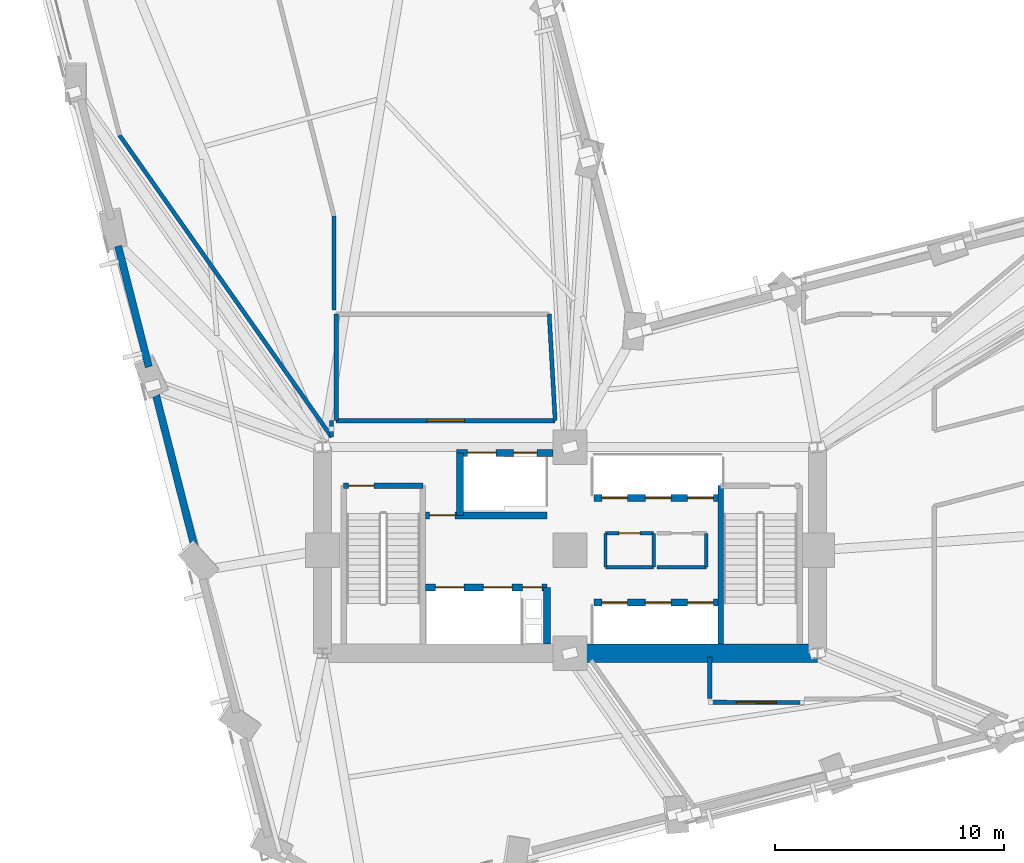
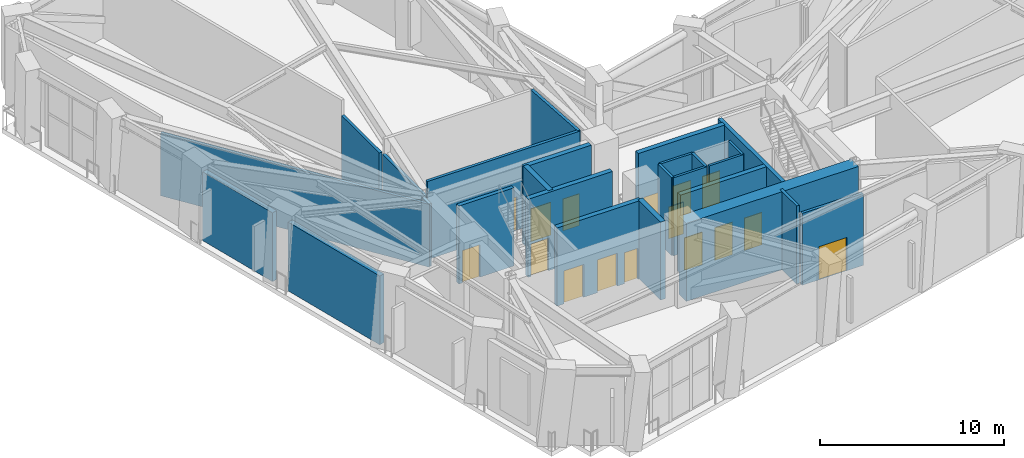
# One storey, part 10 of 17: 26 walls, 16 doors, 16 openings.
"""IFC4 building model written with IfcOpenShell, lengths in metres."""

from ifc_helpers import new_model, si_unit, direction, frame, frame_2d, origin, place, context, subcontext, project, spatial, rectangle, extrude, material, layer, layer_set, type_object, element, fill, save


model = new_model("IFC4")

# Units and contexts
model_context = context("Model", 3, precision=1e-05, world=origin(), true_north=direction((0.0, 1.0)))
body_context = subcontext(model_context, "Body", "Model", "MODEL_VIEW")
ifc_project = project(units=[si_unit("LENGTHUNIT", "METRE"), si_unit("AREAUNIT", "SQUARE_METRE"), si_unit("VOLUMEUNIT", "CUBIC_METRE"), si_unit("PLANEANGLEUNIT", "RADIAN"), si_unit("MASSUNIT", "GRAM", prefix="KILO")], contexts=[model_context])

# Site, building, storey
site_placement = place(None, origin())
site = spatial("IfcSite", under=ifc_project, at=site_placement, CompositionType="ELEMENT")
building_placement = place(site_placement, origin())
building = spatial("IfcBuilding", under=site, at=building_placement, Name="Gaonmaruhae Medical Tower", CompositionType="ELEMENT")
storey_placement = place(building_placement, frame((0.0, 0.0, 83.0)))
storey = spatial("IfcBuildingStorey", under=building, at=storey_placement, Name="L19", CompositionType="ELEMENT", Elevation=83.0)

# Walls
ifc_material_1 = material(Name="Concrete C60/75", Category="concrete")
ifc_layer_1 = layer(ifc_material_1, 0.800048828125)
ifc_layer_set_1 = layer_set([ifc_layer_1], Name="Concrete C60/75")
wall_type_1 = type_object("IfcWallType", Name="CW-800 Lower Core Shear Wall", PredefinedType="SHEAR", material=ifc_layer_set_1)
wall_1_placement = place(storey_placement, frame((24.800048828125, 7.800048828125, 0.0), z_axis=(0.0, 0.0, 1.0), x_axis=(1.0, 0.0, 0.0)))
element("IfcWall", 1, at=wall_1_placement, inside=storey, type_object=wall_type_1, Name="L19 Core Shear Wall CSW-S2", PredefinedType="SHEAR", context=body_context, shape_type="SweptSolid", body=[
    extrude(rectangle(XDim=10.800048828125, YDim=0.800048828125, at=frame_2d((5.39990234375, 0.0))), origin(), (0.0, 0.0, 1.0), 5.179931640625),
])
ifc_material_2 = material(Name="Precast concrete C45/55", Category="concrete")
ifc_layer_2 = layer(ifc_material_2, 0.320068359375)
ifc_layer_set_2 = layer_set([ifc_layer_2], Name="Precast concrete C45/55")
wall_type_2 = type_object("IfcWallType", Name="EW-320 Lower Precast Masonry-Frame Facade Wall", PredefinedType="SOLIDWALL", material=ifc_layer_set_2)
wall_2_placement = place(storey_placement, frame((6.421142578125, 20.301513671875, 0.0), z_axis=(0.0, 0.0, 1.0), x_axis=(-0.246167904865, 0.969227198656, 0.0)))
element("IfcWall", 2, at=wall_2_placement, inside=storey, type_object=wall_type_2, Name="L19 Precast Masonry-Frame Wall W03-W04", PredefinedType="SOLIDWALL", context=body_context, shape_type="SweptSolid", body=[
    extrude(rectangle(XDim=5.437744140625, YDim=0.320068359375, at=frame_2d((2.71875, 0.0))), origin(), (0.0, 0.0, 1.0), 4.56494140625),
])
wall_3_placement = place(storey_placement, frame((8.476806640625, 12.20654296875, 0.0), z_axis=(0.0, 0.0, 1.0), x_axis=(-0.246148234734, 0.969232194336, 0.0)))
element("IfcWall", 3, at=wall_3_placement, inside=storey, type_object=wall_type_2, Name="L19 Precast Masonry-Frame Wall W04-W05", PredefinedType="SOLIDWALL", context=body_context, shape_type="SweptSolid", body=[
    extrude(rectangle(XDim=7.13623046875, YDim=0.320068359375, at=frame_2d((3.568115234375, 0.0))), origin(), (0.0, 0.0, 1.0), 4.56494140625),
])
ifc_material_3 = material(Name="Gypsum board partition", Category="gypsum")
ifc_layer_3 = layer(ifc_material_3, 0.14990234375)
ifc_layer_set_3 = layer_set([ifc_layer_3], Name="Gypsum board partition")
wall_type_3 = type_object("IfcWallType", Name="PW-150 Rated Clinical Corridor Partition", PredefinedType="PARTITIONING", material=ifc_layer_set_3)
wall_4_placement = place(storey_placement, frame((26.35009765625, 11.56005859375, 0.0), z_axis=(0.0, 0.0, 1.0), x_axis=(0.0, 1.0, 0.0)))
element("IfcWall", 4, at=wall_4_placement, inside=storey, type_object=wall_type_3, Name="L19 Interior Partition L19-CS1-1", PredefinedType="PARTITIONING", context=body_context, shape_type="SweptSolid", body=[
    extrude(rectangle(XDim=1.47998046875, YDim=0.14990234375, at=frame_2d((0.739990234375, 0.0))), origin(), (0.0, 0.0, 1.0), 5.179931640625),
])

# Wall, opening, door
wall_5_placement = place(storey_placement, frame((26.35009765625, 13.0400390625, 0.0), z_axis=(0.0, 0.0, 1.0), x_axis=(1.0, 0.0, 0.0)))
wall_5 = element("IfcWall", 5, at=wall_5_placement, inside=storey, type_object=wall_type_3, Name="L19 Interior Partition L19-CS1-2", PredefinedType="PARTITIONING", context=body_context, shape_type="SweptSolid", body=[
    extrude(rectangle(XDim=2.099853515625, YDim=0.14990234375, at=frame_2d((1.0498046875, 0.0))), origin(), (0.0, 0.0, 1.0), 5.179931640625),
])
opening_1_placement = place(wall_5_placement, frame((0.590087890625, 0.0, 0.0)))
opening_1 = element("IfcOpeningElement", 6, at=opening_1_placement, cuts=wall_5, Name="Opening UD-01", PredefinedType="OPENING", context=body_context, shape_type="SweptSolid", body=[
    extrude(rectangle(XDim=0.919921875, YDim=2.10009765625, at=frame_2d((0.4599609375, 1.050048828125))), frame((0.0, 0.0849609375, 0.0), z_axis=(0.0, -1.0, 0.0), x_axis=(1.0, 0.0, 0.0)), (0.0, 0.0, 1.0), 0.169921875),
])
ifc_material_4 = material(Name="Powder-coated steel utility door", Category="steel")
door_type_1 = type_object("IfcDoorType", Name="UD-01 Toilet, Utility & Housekeeping Door 920x2100", OperationType="NOTDEFINED", PredefinedType="DOOR", material=ifc_material_4)
door_1_placement = place(opening_1_placement, origin())
door_1 = element("IfcDoor", 7, at=door_1_placement, inside=storey, type_object=door_type_1, Name="L19 Accessible Staff Toilet Door", OperationType="SINGLE_SWING_LEFT", OverallHeight=2.10009765625, OverallWidth=0.919921875, PredefinedType="DOOR", context=body_context, shape_type="SweptSolid", body=[
    extrude(rectangle(XDim=0.919921875, YDim=2.10009765625, at=frame_2d((0.4599609375, 1.050048828125))), frame((0.0, 0.02490234375, 0.0), z_axis=(0.0, -1.0, 0.0), x_axis=(1.0, 0.0, 0.0)), (0.0, 0.0, 1.0), 0.050048828125),
])
fill(opening_1, door_1)

# Walls
wall_6_placement = place(storey_placement, frame((28.449951171875, 13.0400390625, 0.0), z_axis=(0.0, 0.0, 1.0), x_axis=(0.0, -1.0, 0.0)))
element("IfcWall", 8, at=wall_6_placement, inside=storey, type_object=wall_type_3, Name="L19 Interior Partition L19-CS1-3", PredefinedType="PARTITIONING", context=body_context, shape_type="SweptSolid", body=[
    extrude(rectangle(XDim=1.47998046875, YDim=0.14990234375, at=frame_2d((0.739990234375, 0.0))), origin(), (0.0, 0.0, 1.0), 5.179931640625),
])
wall_7_placement = place(storey_placement, frame((28.449951171875, 11.56005859375, 0.0), z_axis=(0.0, 0.0, 1.0), x_axis=(-1.0, 0.0, 0.0)))
element("IfcWall", 9, at=wall_7_placement, inside=storey, type_object=wall_type_3, Name="L19 Interior Partition L19-CS1-4", PredefinedType="PARTITIONING", context=body_context, shape_type="SweptSolid", body=[
    extrude(rectangle(XDim=2.099853515625, YDim=0.14990234375, at=frame_2d((1.0498046875, 0.0))), origin(), (0.0, 0.0, 1.0), 5.179931640625),
])
wall_8_placement = place(storey_placement, frame((30.75, 13.0400390625, 0.0), z_axis=(0.0, 0.0, 1.0), x_axis=(0.0, -1.0, 0.0)))
element("IfcWall", 10, at=wall_8_placement, inside=storey, type_object=wall_type_3, Name="L19 Interior Partition L19-CS2-6", PredefinedType="PARTITIONING", context=body_context, shape_type="SweptSolid", body=[
    extrude(rectangle(XDim=1.47998046875, YDim=0.14990234375, at=frame_2d((0.739990234375, 0.0))), origin(), (0.0, 0.0, 1.0), 5.179931640625),
])
wall_9_placement = place(storey_placement, frame((30.75, 11.56005859375, 0.0), z_axis=(0.0, 0.0, 1.0), x_axis=(-1.0, 0.0, 0.0)))
element("IfcWall", 11, at=wall_9_placement, inside=storey, type_object=wall_type_3, Name="L19 Interior Partition L19-CS2-7", PredefinedType="PARTITIONING", context=body_context, shape_type="SweptSolid", body=[
    extrude(rectangle(XDim=2.14990234375, YDim=0.14990234375, at=frame_2d((1.074951171875, 0.0))), origin(), (0.0, 0.0, 1.0), 5.179931640625),
])
ifc_layer_4 = layer(ifc_material_3, 0.179931640625)
ifc_layer_set_4 = layer_set([ifc_layer_4], Name="Gypsum board partition")
wall_type_4 = type_object("IfcWallType", Name="PW-180 Refuge & Plant Acoustic Fire Partition", PredefinedType="PARTITIONING", material=ifc_layer_set_4)
wall_10_placement = place(storey_placement, frame((14.60009765625, 17.949951171875, 0.0), z_axis=(0.0, 0.0, 1.0), x_axis=(0.0, 1.0, 0.0)))
element("IfcWall", 12, at=wall_10_placement, inside=storey, type_object=wall_type_4, Name="L19 Interior Partition L19-REF1-8", PredefinedType="PARTITIONING", context=body_context, shape_type="SweptSolid", body=[
    extrude(rectangle(XDim=4.650146484375, YDim=0.179931640625, at=frame_2d((2.3251953125, 0.0))), origin(), (0.0, 0.0, 1.0), 4.1650390625),
])
wall_11_placement = place(storey_placement, frame((23.89404296875, 22.60009765625, 0.0), z_axis=(0.0, 0.0, 1.0), x_axis=(0.056036138201, -0.998428741181, 0.0)))
element("IfcWall", 13, at=wall_11_placement, inside=storey, type_object=wall_type_4, Name="L19 Interior Partition L19-REF1-10", PredefinedType="PARTITIONING", context=body_context, shape_type="SweptSolid", body=[
    extrude(rectangle(XDim=4.657470703125, YDim=0.179931640625, at=frame_2d((2.32861328125, 0.0))), origin(), (0.0, 0.0, 1.0), 5.179931640625),
])

# Wall, opening, door
wall_12_placement = place(storey_placement, frame((24.155029296875, 17.949951171875, 0.0), z_axis=(0.0, 0.0, 1.0), x_axis=(-1.0, 0.0, 0.0)))
wall_12 = element("IfcWall", 14, at=wall_12_placement, inside=storey, type_object=wall_type_4, Name="L19 Interior Partition L19-REF1-11", PredefinedType="PARTITIONING", context=body_context, shape_type="SweptSolid", body=[
    extrude(rectangle(XDim=9.554931640625, YDim=0.179931640625, at=frame_2d((4.77734375, 0.0))), origin(), (0.0, 0.0, 1.0), 5.179931640625),
])
opening_2_placement = place(wall_12_placement, frame((3.952392578125, 0.0, 0.0)))
opening_2 = element("IfcOpeningElement", 15, at=opening_2_placement, cuts=wall_12, Name="Opening FD-04", PredefinedType="OPENING", context=body_context, shape_type="SweptSolid", body=[
    extrude(rectangle(XDim=1.64990234375, YDim=2.199951171875, at=frame_2d((0.824951171875, 1.10009765625))), frame((0.0, 0.10009765625, 0.0), z_axis=(0.0, -1.0, 0.0), x_axis=(1.0, 0.0, 0.0)), (0.0, 0.0, 1.0), 0.199951171875),
])
ifc_material_5 = material(Name="Powder-coated steel fire door", Category="steel")
door_type_2 = type_object("IfcDoorType", Name="FD-04 Refuge & Trauma Double Fire Door 1650x2200", OperationType="NOTDEFINED", PredefinedType="DOOR", material=ifc_material_5)
door_2_placement = place(opening_2_placement, origin())
door_2 = element("IfcDoor", 16, at=door_2_placement, inside=storey, type_object=door_type_2, Name="L19 Designated Fire Refuge Safety Area Door", OperationType="DOUBLE_DOOR_SINGLE_SWING", OverallHeight=2.199951171875, OverallWidth=1.64990234375, PredefinedType="DOOR", context=body_context, shape_type="SweptSolid", body=[
    extrude(rectangle(XDim=1.64990234375, YDim=2.199951171875, at=frame_2d((0.824951171875, 1.10009765625))), frame((0.0, 0.02490234375, 0.0), z_axis=(0.0, -1.0, 0.0), x_axis=(1.0, 0.0, 0.0)), (0.0, 0.0, 1.0), 0.050048828125),
])
fill(opening_2, door_2)

# Wall
wall_13_placement = place(storey_placement, frame((30.90087890625, 7.639892578125, 0.0), z_axis=(0.0, 0.0, 1.0), x_axis=(0.0, -1.0, 0.0)))
element("IfcWall", 17, at=wall_13_placement, inside=storey, type_object=wall_type_4, Name="L19 Interior Partition L19-CHILB-19", PredefinedType="PARTITIONING", context=body_context, shape_type="SweptSolid", body=[
    extrude(rectangle(XDim=1.809814453125, YDim=0.179931640625, at=frame_2d((0.90478515625, 0.0))), origin(), (0.0, 0.0, 1.0), 5.179931640625),
])

# Wall, opening, door
wall_14_placement = place(storey_placement, frame((31.02294921875, 5.6650390625, 0.0), z_axis=(0.0, 0.0, 1.0), x_axis=(0.999992178721, -0.00395505965, 0.0)))
wall_14 = element("IfcWall", 18, at=wall_14_placement, inside=storey, type_object=wall_type_4, Name="L19 Interior Partition L19-CHILB-20", PredefinedType="PARTITIONING", context=body_context, shape_type="SweptSolid", body=[
    extrude(rectangle(XDim=3.8271484375, YDim=0.179931640625, at=frame_2d((1.91357421875, 0.0))), origin(), (0.0, 0.0, 1.0), 4.764892578125),
])
opening_3_placement = place(wall_14_placement, frame((1.03857421875, 0.0, 0.0)))
opening_3 = element("IfcOpeningElement", 19, at=opening_3_placement, cuts=wall_14, Name="Opening PD-01", PredefinedType="OPENING", context=body_context, shape_type="SweptSolid", body=[
    extrude(rectangle(XDim=1.75, YDim=2.199951171875, at=frame_2d((0.875, 1.10009765625))), frame((0.0, 0.10009765625, 0.0), z_axis=(0.0, -1.0, 0.0), x_axis=(1.0, 0.0, 0.0)), (0.0, 0.0, 1.0), 0.199951171875),
])
ifc_material_6 = material(Name="Acoustic galvanised steel plant door", Category="steel")
door_type_3 = type_object("IfcDoorType", Name="PD-01 Mechanical Plant Double Equipment Door 1750x2200", OperationType="NOTDEFINED", PredefinedType="DOOR", material=ifc_material_6)
door_3_placement = place(opening_3_placement, origin())
door_3 = element("IfcDoor", 20, at=door_3_placement, inside=storey, type_object=door_type_3, Name="L19 Zone Chiller and Heat Exchanger Plant Room Annex Door", OperationType="DOUBLE_DOOR_SINGLE_SWING", OverallHeight=2.199951171875, OverallWidth=1.75, PredefinedType="DOOR", context=body_context, shape_type="SweptSolid", body=[
    extrude(rectangle(XDim=1.75, YDim=2.199951171875, at=frame_2d((0.875, 1.10009765625))), frame((0.0, 0.02490234375, 0.0), z_axis=(0.0, -1.0, 0.0), x_axis=(1.0, 0.0, 0.0)), (0.0, 0.0, 1.0), 0.050048828125),
])
fill(opening_3, door_3)

# Walls
wall_15_placement = place(storey_placement, frame((14.5, 26.881103515625, 0.0), z_axis=(0.0, 0.0, 1.0), x_axis=(0.0, -1.0, 0.0)))
element("IfcWall", 21, at=wall_15_placement, inside=storey, type_object=wall_type_4, Name="L19 Interior Partition L19-ELEC-55", PredefinedType="PARTITIONING", context=body_context, shape_type="SweptSolid", body=[
    extrude(rectangle(XDim=4.108154296875, YDim=0.179931640625, at=frame_2d((2.05419921875, 0.0))), origin(), (0.0, 0.0, 1.0), 4.1650390625),
])
wall_16_placement = place(storey_placement, frame((14.39990234375, 17.949951171875, 0.0), z_axis=(0.0, 0.0, 1.0), x_axis=(0.0, -1.0, 0.0)))
element("IfcWall", 22, at=wall_16_placement, inside=storey, type_object=wall_type_4, Name="L19 Interior Partition L19-ELEC-56", PredefinedType="PARTITIONING", context=body_context, shape_type="SweptSolid", body=[
    extrude(rectangle(XDim=0.7099609375, YDim=0.179931640625, at=frame_2d((0.35498046875, 0.0))), origin(), (0.0, 0.0, 1.0), 4.1650390625),
])
wall_17_placement = place(storey_placement, frame((14.39990234375, 17.239990234375, 0.0), z_axis=(0.0, 0.0, 1.0), x_axis=(-0.575086027053, 0.81809294184, 0.0)))
element("IfcWall", 23, at=wall_17_placement, inside=storey, type_object=wall_type_4, Name="L19 Interior Partition L19-ELEC-57", PredefinedType="PARTITIONING", context=body_context, shape_type="SweptSolid", body=[
    extrude(rectangle(XDim=16.0947265625, YDim=0.179931640625, at=frame_2d((8.04736328125, 0.0))), origin(), (0.0, 0.0, 1.0), 4.1650390625),
])

# Wall, opening, door
ifc_material_7 = material(Name="Concrete C50/60", Category="concrete")
ifc_layer_5 = layer(ifc_material_7, 0.239990234375)
ifc_layer_set_5 = layer_set([ifc_layer_5], Name="Concrete C50/60")
wall_type_5 = type_object("IfcWallType", Name="SW-240 Dogleg Stair Tight Shaft Wall", PredefinedType="SOLIDWALL", material=ifc_layer_set_5)
wall_18_placement = place(storey_placement, frame((14.919921875, 15.1201171875, 0.0), z_axis=(0.0, 0.0, 1.0), x_axis=(1.0, 0.0, 0.0)))
wall_18 = element("IfcWall", 24, at=wall_18_placement, inside=storey, type_object=wall_type_5, Name="L19 ST-01 Stair Shaft Wall SHW-ST-01-N", PredefinedType="SOLIDWALL", context=body_context, shape_type="SweptSolid", body=[
    extrude(rectangle(XDim=3.4599609375, YDim=0.239990234375, at=frame_2d((1.72998046875, 0.0))), origin(), (0.0, 0.0, 1.0), 5.179931640625),
])
opening_4_placement = place(wall_18_placement, frame((0.219970703125, 0.0, 0.0)))
opening_4 = element("IfcOpeningElement", 25, at=opening_4_placement, cuts=wall_18, Name="Opening FD-01", PredefinedType="OPENING", context=body_context, shape_type="SweptSolid", body=[
    extrude(rectangle(XDim=1.10009765625, YDim=2.14990234375, at=frame_2d((0.550048828125, 1.074951171875))), frame((0.0, 0.1298828125, 0.0), z_axis=(0.0, -1.0, 0.0), x_axis=(1.0, 0.0, 0.0)), (0.0, 0.0, 1.0), 0.260009765625),
])
door_type_4 = type_object("IfcDoorType", Name="FD-01 Escape Stair Protected Fire Door 1100x2150", OperationType="NOTDEFINED", PredefinedType="DOOR", material=ifc_material_5)
door_4_placement = place(opening_4_placement, origin())
door_4 = element("IfcDoor", 26, at=door_4_placement, inside=storey, type_object=door_type_4, Name="L19 ST-01 Protected Escape Stair Door", OperationType="SINGLE_SWING_LEFT", OverallHeight=2.14990234375, OverallWidth=1.10009765625, PredefinedType="DOOR", context=body_context, shape_type="SweptSolid", body=[
    extrude(rectangle(XDim=1.10009765625, YDim=2.14990234375, at=frame_2d((0.550048828125, 1.074951171875))), frame((0.0, 0.02490234375, 0.0), z_axis=(0.0, -1.0, 0.0), x_axis=(1.0, 0.0, 0.0)), (0.0, 0.0, 1.0), 0.050048828125),
])
fill(opening_4, door_4)

# Wall
wall_19_placement = place(storey_placement, frame((31.3701171875, 8.199951171875, 0.0), z_axis=(0.0, 0.0, 1.0), x_axis=(0.0, 1.0, 0.0)))
element("IfcWall", 27, at=wall_19_placement, inside=storey, type_object=wall_type_5, Name="L19 ST-02 Stair Shaft Wall SHW-ST-02-W", PredefinedType="SOLIDWALL", context=body_context, shape_type="SweptSolid", body=[
    extrude(rectangle(XDim=6.920166015625, YDim=0.239990234375, at=frame_2d((3.4599609375, 0.0))), origin(), (0.0, 0.0, 1.0), 5.179931640625),
])

# Wall, openings, doors
ifc_layer_6 = layer(ifc_material_7, 0.300048828125)
ifc_layer_set_6 = layer_set([ifc_layer_6], Name="Concrete C50/60")
wall_type_6 = type_object("IfcWallType", Name="SW-300 Stair & Lift Hoistway Shaft Wall", PredefinedType="SOLIDWALL", material=ifc_layer_set_6)
wall_20_placement = place(storey_placement, frame((19.85009765625, 16.550048828125, 0.0), z_axis=(0.0, 0.0, 1.0), x_axis=(1.0, 0.0, 0.0)))
wall_20 = element("IfcWall", 28, at=wall_20_placement, inside=storey, type_object=wall_type_6, Name="L19 Core Shear Wall CSW-NB", PredefinedType="SOLIDWALL", context=body_context, shape_type="SweptSolid", body=[
    extrude(rectangle(XDim=4.199951171875, YDim=0.300048828125, at=frame_2d((2.10009765625, 0.0))), origin(), (0.0, 0.0, 1.0), 5.179931640625),
])
opening_5_placement = place(wall_20_placement, frame((0.47509765625, 0.0, 0.0)))
opening_5 = element("IfcOpeningElement", 29, at=opening_5_placement, cuts=wall_20, Name="Opening LD-F1", PredefinedType="OPENING", context=body_context, shape_type="SweptSolid", body=[
    extrude(rectangle(XDim=1.25, YDim=2.179931640625, at=frame_2d((0.625, 1.08984375))), frame((0.0, 0.16015625, 0.0), z_axis=(0.0, -1.0, 0.0), x_axis=(1.0, 0.0, 0.0)), (0.0, 0.0, 1.0), 0.320068359375),
])
opening_6_placement = place(wall_20_placement, frame((2.489990234375, 0.0, 0.0)))
opening_6 = element("IfcOpeningElement", 30, at=opening_6_placement, cuts=wall_20, Name="Opening LD-S1", PredefinedType="OPENING", context=body_context, shape_type="SweptSolid", body=[
    extrude(rectangle(XDim=1.02001953125, YDim=2.1201171875, at=frame_2d((0.510009765625, 1.06005859375))), frame((0.0, 0.16015625, 0.0), z_axis=(0.0, -1.0, 0.0), x_axis=(1.0, 0.0, 0.0)), (0.0, 0.0, 1.0), 0.320068359375),
])
ifc_material_8 = material(Name="Brushed stainless steel 316L landing door", Category="steel")
door_type_5 = type_object("IfcDoorType", Name="LD-F1 Firefighting & Bed Lift Sliding Landing Door 1250x2180", OperationType="NOTDEFINED", PredefinedType="DOOR", material=ifc_material_8)
door_5_placement = place(opening_5_placement, origin())
door_5 = element("IfcDoor", 31, at=door_5_placement, inside=storey, type_object=door_type_5, Name="L19 Service/Bed Lift Landing Door BDL-01", OperationType="DOUBLE_DOOR_SLIDING", OverallHeight=2.179931640625, OverallWidth=1.25, PredefinedType="DOOR", context=body_context, shape_type="SweptSolid", body=[
    extrude(rectangle(XDim=1.25, YDim=2.179931640625, at=frame_2d((0.625, 1.08984375))), frame((0.0, 0.02490234375, 0.0), z_axis=(0.0, -1.0, 0.0), x_axis=(1.0, 0.0, 0.0)), (0.0, 0.0, 1.0), 0.050048828125),
])
fill(opening_5, door_5)
ifc_material_9 = material(Name="Brushed stainless steel 304 landing door", Category="steel")
door_type_6 = type_object("IfcDoorType", Name="LD-S1 Service Lift Sliding Landing Door 1020x2120", OperationType="NOTDEFINED", PredefinedType="DOOR", material=ifc_material_9)
door_6_placement = place(opening_6_placement, origin())
door_6 = element("IfcDoor", 32, at=door_6_placement, inside=storey, type_object=door_type_6, Name="L19 Service/Bed Lift Landing Door SVL-01", OperationType="SLIDING_TO_LEFT", OverallHeight=2.1201171875, OverallWidth=1.02001953125, PredefinedType="DOOR", context=body_context, shape_type="SweptSolid", body=[
    extrude(rectangle(XDim=1.02001953125, YDim=2.1201171875, at=frame_2d((0.510009765625, 1.06005859375))), frame((0.0, 0.02490234375, 0.0), z_axis=(0.0, -1.0, 0.0), x_axis=(1.0, 0.0, 0.0)), (0.0, 0.0, 1.0), 0.050048828125),
])
fill(opening_6, door_6)

wall_21_placement = place(storey_placement, frame((18.5, 10.679931640625, 0.0), z_axis=(0.0, 0.0, 1.0), x_axis=(1.0, 0.0, 0.0)))
wall_21 = element("IfcWall", 33, at=wall_21_placement, inside=storey, type_object=wall_type_6, Name="L19 Shaft Enclosure Wall SHW-FFN", PredefinedType="SOLIDWALL", context=body_context, shape_type="SweptSolid", body=[
    extrude(rectangle(XDim=5.300048828125, YDim=0.300048828125, at=frame_2d((2.64990234375, 0.0))), origin(), (0.0, 0.0, 1.0), 5.179931640625),
])
opening_7_placement = place(wall_21_placement, frame((4.219970703125, 0.0, 0.0)))
opening_7 = element("IfcOpeningElement", 34, at=opening_7_placement, cuts=wall_21, Name="Opening AD-01", PredefinedType="OPENING", context=body_context, shape_type="SweptSolid", body=[
    extrude(rectangle(XDim=0.860107421875, YDim=2.06005859375, at=frame_2d((0.43017578125, 1.030029296875))), frame((0.0, 0.16015625, 0.0), z_axis=(0.0, -1.0, 0.0), x_axis=(1.0, 0.0, 0.0)), (0.0, 0.0, 1.0), 0.320068359375),
])
opening_8_placement = place(wall_21_placement, frame((0.425048828125, 0.0, 0.0)))
opening_8 = element("IfcOpeningElement", 35, at=opening_8_placement, cuts=wall_21, Name="Opening LD-F1", PredefinedType="OPENING", context=body_context, shape_type="SweptSolid", body=[
    extrude(rectangle(XDim=1.25, YDim=2.179931640625, at=frame_2d((0.625, 1.08984375))), frame((0.0, 0.16015625, 0.0), z_axis=(0.0, -1.0, 0.0), x_axis=(1.0, 0.0, 0.0)), (0.0, 0.0, 1.0), 0.320068359375),
])
opening_9_placement = place(wall_21_placement, frame((2.52490234375, 0.0, 0.0)))
opening_9 = element("IfcOpeningElement", 36, at=opening_9_placement, cuts=wall_21, Name="Opening LD-F1", PredefinedType="OPENING", context=body_context, shape_type="SweptSolid", body=[
    extrude(rectangle(XDim=1.25, YDim=2.179931640625, at=frame_2d((0.625, 1.08984375))), frame((0.0, 0.16015625, 0.0), z_axis=(0.0, -1.0, 0.0), x_axis=(1.0, 0.0, 0.0)), (0.0, 0.0, 1.0), 0.320068359375),
])
ifc_material_10 = material(Name="Powder-coated steel access door", Category="steel")
door_type_7 = type_object("IfcDoorType", Name="AD-01 Riser & Closet Access Fire Door 860x2060", OperationType="NOTDEFINED", PredefinedType="DOOR", material=ifc_material_10)
door_7_placement = place(opening_7_placement, origin())
door_7 = element("IfcDoor", 37, at=door_7_placement, inside=storey, type_object=door_type_7, Name="L19 Medical Gas and MEP Riser Access Door", OperationType="SINGLE_SWING_RIGHT", OverallHeight=2.06005859375, OverallWidth=0.860107421875, PredefinedType="DOOR", context=body_context, shape_type="SweptSolid", body=[
    extrude(rectangle(XDim=0.860107421875, YDim=2.06005859375, at=frame_2d((0.43017578125, 1.030029296875))), frame((0.0, 0.02490234375, 0.0), z_axis=(0.0, -1.0, 0.0), x_axis=(1.0, 0.0, 0.0)), (0.0, 0.0, 1.0), 0.050048828125),
])
fill(opening_7, door_7)
door_8_placement = place(opening_8_placement, origin())
door_8 = element("IfcDoor", 38, at=door_8_placement, inside=storey, type_object=door_type_5, Name="L19 Firefighting Lift Landing Door FFL-01", OperationType="DOUBLE_DOOR_SLIDING", OverallHeight=2.179931640625, OverallWidth=1.25, PredefinedType="DOOR", context=body_context, shape_type="SweptSolid", body=[
    extrude(rectangle(XDim=1.25, YDim=2.179931640625, at=frame_2d((0.625, 1.08984375))), frame((0.0, 0.02490234375, 0.0), z_axis=(0.0, -1.0, 0.0), x_axis=(1.0, 0.0, 0.0)), (0.0, 0.0, 1.0), 0.050048828125),
])
fill(opening_8, door_8)
door_9_placement = place(opening_9_placement, origin())
door_9 = element("IfcDoor", 39, at=door_9_placement, inside=storey, type_object=door_type_5, Name="L19 Firefighting Lift Landing Door FFL-02", OperationType="DOUBLE_DOOR_SLIDING", OverallHeight=2.179931640625, OverallWidth=1.25, PredefinedType="DOOR", context=body_context, shape_type="SweptSolid", body=[
    extrude(rectangle(XDim=1.25, YDim=2.179931640625, at=frame_2d((0.625, 1.08984375))), frame((0.0, 0.02490234375, 0.0), z_axis=(0.0, -1.0, 0.0), x_axis=(1.0, 0.0, 0.0)), (0.0, 0.0, 1.0), 0.050048828125),
])
fill(opening_9, door_9)

# Wall, opening, door
wall_22_placement = place(storey_placement, frame((18.5, 13.820068359375, 0.0), z_axis=(0.0, 0.0, 1.0), x_axis=(1.0, 0.0, 0.0)))
wall_22 = element("IfcWall", 40, at=wall_22_placement, inside=storey, type_object=wall_type_6, Name="L19 Shaft Enclosure Wall SHW-FFL", PredefinedType="SOLIDWALL", context=body_context, shape_type="SweptSolid", body=[
    extrude(rectangle(XDim=5.300048828125, YDim=0.300048828125, at=frame_2d((2.64990234375, 0.0))), origin(), (0.0, 0.0, 1.0), 5.179931640625),
])
opening_10_placement = place(wall_22_placement, frame((0.179931640625, 0.0, 0.0)))
opening_10 = element("IfcOpeningElement", 41, at=opening_10_placement, cuts=wall_22, Name="Opening FD-01", PredefinedType="OPENING", context=body_context, shape_type="SweptSolid", body=[
    extrude(rectangle(XDim=1.10009765625, YDim=2.14990234375, at=frame_2d((0.550048828125, 1.074951171875))), frame((0.0, 0.16015625, 0.0), z_axis=(0.0, -1.0, 0.0), x_axis=(1.0, 0.0, 0.0)), (0.0, 0.0, 1.0), 0.320068359375),
])
door_10_placement = place(opening_10_placement, origin())
door_10 = element("IfcDoor", 42, at=door_10_placement, inside=storey, type_object=door_type_4, Name="L19 Firefighting Lobby Smoke Door", OperationType="SINGLE_SWING_LEFT", OverallHeight=2.14990234375, OverallWidth=1.10009765625, PredefinedType="DOOR", context=body_context, shape_type="SweptSolid", body=[
    extrude(rectangle(XDim=1.10009765625, YDim=2.14990234375, at=frame_2d((0.550048828125, 1.074951171875))), frame((0.0, 0.02490234375, 0.0), z_axis=(0.0, -1.0, 0.0), x_axis=(1.0, 0.0, 0.0)), (0.0, 0.0, 1.0), 0.050048828125),
])
fill(opening_10, door_10)

# Walls
wall_23_placement = place(storey_placement, frame((23.800048828125, 8.199951171875, 0.0), z_axis=(0.0, 0.0, 1.0), x_axis=(0.0, 1.0, 0.0)))
element("IfcWall", 43, at=wall_23_placement, inside=storey, type_object=wall_type_6, Name="L19 Shaft Enclosure Wall SHW-FFE", PredefinedType="SOLIDWALL", context=body_context, shape_type="SweptSolid", body=[
    extrude(rectangle(XDim=2.47998046875, YDim=0.300048828125, at=frame_2d((1.239990234375, 0.0))), origin(), (0.0, 0.0, 1.0), 5.179931640625),
])
wall_24_placement = place(storey_placement, frame((20.0, 13.820068359375, 0.0), z_axis=(0.0, 0.0, 1.0), x_axis=(0.0, 1.0, 0.0)))
element("IfcWall", 44, at=wall_24_placement, inside=storey, type_object=wall_type_6, Name="L19 Shaft Enclosure Wall SHW-BDW", PredefinedType="SOLIDWALL", context=body_context, shape_type="SweptSolid", body=[
    extrude(rectangle(XDim=2.72998046875, YDim=0.300048828125, at=frame_2d((1.364990234375, 0.0))), origin(), (0.0, 0.0, 1.0), 5.179931640625),
])

# Wall, openings, doors
wall_25_placement = place(storey_placement, frame((25.85009765625, 10.02001953125, 0.0), z_axis=(0.0, 0.0, 1.0), x_axis=(1.0, 0.0, 0.0)))
wall_25 = element("IfcWall", 45, at=wall_25_placement, inside=storey, type_object=wall_type_6, Name="L19 Shaft Enclosure Wall SHW-PLS", PredefinedType="SOLIDWALL", context=body_context, shape_type="SweptSolid", body=[
    extrude(rectangle(XDim=5.449951171875, YDim=0.300048828125, at=frame_2d((2.72509765625, 0.0))), origin(), (0.0, 0.0, 1.0), 5.179931640625),
])
opening_11_placement = place(wall_25_placement, frame((0.340087890625, 0.0, 0.0)))
opening_11 = element("IfcOpeningElement", 46, at=opening_11_placement, cuts=wall_25, Name="Opening LD-P1", PredefinedType="OPENING", context=body_context, shape_type="SweptSolid", body=[
    extrude(rectangle(XDim=1.1201171875, YDim=2.14990234375, at=frame_2d((0.56005859375, 1.074951171875))), frame((0.0, 0.16015625, 0.0), z_axis=(0.0, -1.0, 0.0), x_axis=(1.0, 0.0, 0.0)), (0.0, 0.0, 1.0), 0.320068359375),
])
opening_12_placement = place(wall_25_placement, frame((2.239990234375, 0.0, 0.0)))
opening_12 = element("IfcOpeningElement", 47, at=opening_12_placement, cuts=wall_25, Name="Opening LD-P1", PredefinedType="OPENING", context=body_context, shape_type="SweptSolid", body=[
    extrude(rectangle(XDim=1.1201171875, YDim=2.14990234375, at=frame_2d((0.56005859375, 1.074951171875))), frame((0.0, 0.16015625, 0.0), z_axis=(0.0, -1.0, 0.0), x_axis=(1.0, 0.0, 0.0)), (0.0, 0.0, 1.0), 0.320068359375),
])
opening_13_placement = place(wall_25_placement, frame((4.090087890625, 0.0, 0.0)))
opening_13 = element("IfcOpeningElement", 48, at=opening_13_placement, cuts=wall_25, Name="Opening LD-P1", PredefinedType="OPENING", context=body_context, shape_type="SweptSolid", body=[
    extrude(rectangle(XDim=1.1201171875, YDim=2.14990234375, at=frame_2d((0.56005859375, 1.074951171875))), frame((0.0, 0.16015625, 0.0), z_axis=(0.0, -1.0, 0.0), x_axis=(1.0, 0.0, 0.0)), (0.0, 0.0, 1.0), 0.320068359375),
])
door_type_8 = type_object("IfcDoorType", Name="LD-P1 Passenger Lift Sliding Landing Door 1120x2150", OperationType="NOTDEFINED", PredefinedType="DOOR", material=ifc_material_9)
door_11_placement = place(opening_11_placement, origin())
door_11 = element("IfcDoor", 49, at=door_11_placement, inside=storey, type_object=door_type_8, Name="L19 Passenger Lift Landing Door PL-L1", OperationType="DOUBLE_DOOR_SLIDING", OverallHeight=2.14990234375, OverallWidth=1.1201171875, PredefinedType="DOOR", context=body_context, shape_type="SweptSolid", body=[
    extrude(rectangle(XDim=1.1201171875, YDim=2.14990234375, at=frame_2d((0.56005859375, 1.074951171875))), frame((0.0, 0.02490234375, 0.0), z_axis=(0.0, -1.0, 0.0), x_axis=(1.0, 0.0, 0.0)), (0.0, 0.0, 1.0), 0.050048828125),
])
fill(opening_11, door_11)
door_12_placement = place(opening_12_placement, origin())
door_12 = element("IfcDoor", 50, at=door_12_placement, inside=storey, type_object=door_type_8, Name="L19 Passenger Lift Landing Door PL-L2", OperationType="DOUBLE_DOOR_SLIDING", OverallHeight=2.14990234375, OverallWidth=1.1201171875, PredefinedType="DOOR", context=body_context, shape_type="SweptSolid", body=[
    extrude(rectangle(XDim=1.1201171875, YDim=2.14990234375, at=frame_2d((0.56005859375, 1.074951171875))), frame((0.0, 0.02490234375, 0.0), z_axis=(0.0, -1.0, 0.0), x_axis=(1.0, 0.0, 0.0)), (0.0, 0.0, 1.0), 0.050048828125),
])
fill(opening_12, door_12)
door_13_placement = place(opening_13_placement, origin())
door_13 = element("IfcDoor", 51, at=door_13_placement, inside=storey, type_object=door_type_8, Name="L19 Passenger Lift Landing Door PL-H1", OperationType="DOUBLE_DOOR_SLIDING", OverallHeight=2.14990234375, OverallWidth=1.1201171875, PredefinedType="DOOR", context=body_context, shape_type="SweptSolid", body=[
    extrude(rectangle(XDim=1.1201171875, YDim=2.14990234375, at=frame_2d((0.56005859375, 1.074951171875))), frame((0.0, 0.02490234375, 0.0), z_axis=(0.0, -1.0, 0.0), x_axis=(1.0, 0.0, 0.0)), (0.0, 0.0, 1.0), 0.050048828125),
])
fill(opening_13, door_13)

wall_26_placement = place(storey_placement, frame((25.85009765625, 14.580078125, 0.0), z_axis=(0.0, 0.0, 1.0), x_axis=(1.0, 0.0, 0.0)))
wall_26 = element("IfcWall", 52, at=wall_26_placement, inside=storey, type_object=wall_type_6, Name="L19 Shaft Enclosure Wall SHW-PLN", PredefinedType="SOLIDWALL", context=body_context, shape_type="SweptSolid", body=[
    extrude(rectangle(XDim=5.449951171875, YDim=0.300048828125, at=frame_2d((2.72509765625, 0.0))), origin(), (0.0, 0.0, 1.0), 5.179931640625),
])
opening_14_placement = place(wall_26_placement, frame((0.340087890625, 0.0, 0.0)))
opening_14 = element("IfcOpeningElement", 53, at=opening_14_placement, cuts=wall_26, Name="Opening LD-P1", PredefinedType="OPENING", context=body_context, shape_type="SweptSolid", body=[
    extrude(rectangle(XDim=1.1201171875, YDim=2.14990234375, at=frame_2d((0.56005859375, 1.074951171875))), frame((0.0, 0.16015625, 0.0), z_axis=(0.0, -1.0, 0.0), x_axis=(1.0, 0.0, 0.0)), (0.0, 0.0, 1.0), 0.320068359375),
])
opening_15_placement = place(wall_26_placement, frame((2.239990234375, 0.0, 0.0)))
opening_15 = element("IfcOpeningElement", 54, at=opening_15_placement, cuts=wall_26, Name="Opening LD-P1", PredefinedType="OPENING", context=body_context, shape_type="SweptSolid", body=[
    extrude(rectangle(XDim=1.1201171875, YDim=2.14990234375, at=frame_2d((0.56005859375, 1.074951171875))), frame((0.0, 0.16015625, 0.0), z_axis=(0.0, -1.0, 0.0), x_axis=(1.0, 0.0, 0.0)), (0.0, 0.0, 1.0), 0.320068359375),
])
opening_16_placement = place(wall_26_placement, frame((4.090087890625, 0.0, 0.0)))
opening_16 = element("IfcOpeningElement", 55, at=opening_16_placement, cuts=wall_26, Name="Opening LD-P1", PredefinedType="OPENING", context=body_context, shape_type="SweptSolid", body=[
    extrude(rectangle(XDim=1.1201171875, YDim=2.14990234375, at=frame_2d((0.56005859375, 1.074951171875))), frame((0.0, 0.16015625, 0.0), z_axis=(0.0, -1.0, 0.0), x_axis=(1.0, 0.0, 0.0)), (0.0, 0.0, 1.0), 0.320068359375),
])
door_14_placement = place(opening_14_placement, origin())
door_14 = element("IfcDoor", 56, at=door_14_placement, inside=storey, type_object=door_type_8, Name="L19 Passenger Lift Landing Door PL-M1", OperationType="DOUBLE_DOOR_SLIDING", OverallHeight=2.14990234375, OverallWidth=1.1201171875, PredefinedType="DOOR", context=body_context, shape_type="SweptSolid", body=[
    extrude(rectangle(XDim=1.1201171875, YDim=2.14990234375, at=frame_2d((0.56005859375, 1.074951171875))), frame((0.0, 0.02490234375, 0.0), z_axis=(0.0, -1.0, 0.0), x_axis=(1.0, 0.0, 0.0)), (0.0, 0.0, 1.0), 0.050048828125),
])
fill(opening_14, door_14)
door_15_placement = place(opening_15_placement, origin())
door_15 = element("IfcDoor", 57, at=door_15_placement, inside=storey, type_object=door_type_8, Name="L19 Passenger Lift Landing Door PL-M2", OperationType="DOUBLE_DOOR_SLIDING", OverallHeight=2.14990234375, OverallWidth=1.1201171875, PredefinedType="DOOR", context=body_context, shape_type="SweptSolid", body=[
    extrude(rectangle(XDim=1.1201171875, YDim=2.14990234375, at=frame_2d((0.56005859375, 1.074951171875))), frame((0.0, 0.02490234375, 0.0), z_axis=(0.0, -1.0, 0.0), x_axis=(1.0, 0.0, 0.0)), (0.0, 0.0, 1.0), 0.050048828125),
])
fill(opening_15, door_15)
door_16_placement = place(opening_16_placement, origin())
door_16 = element("IfcDoor", 58, at=door_16_placement, inside=storey, type_object=door_type_8, Name="L19 Passenger Lift Landing Door PL-H2", OperationType="DOUBLE_DOOR_SLIDING", OverallHeight=2.14990234375, OverallWidth=1.1201171875, PredefinedType="DOOR", context=body_context, shape_type="SweptSolid", body=[
    extrude(rectangle(XDim=1.1201171875, YDim=2.14990234375, at=frame_2d((0.56005859375, 1.074951171875))), frame((0.0, 0.02490234375, 0.0), z_axis=(0.0, -1.0, 0.0), x_axis=(1.0, 0.0, 0.0)), (0.0, 0.0, 1.0), 0.050048828125),
])
fill(opening_16, door_16)

save(model, "model.ifc")
